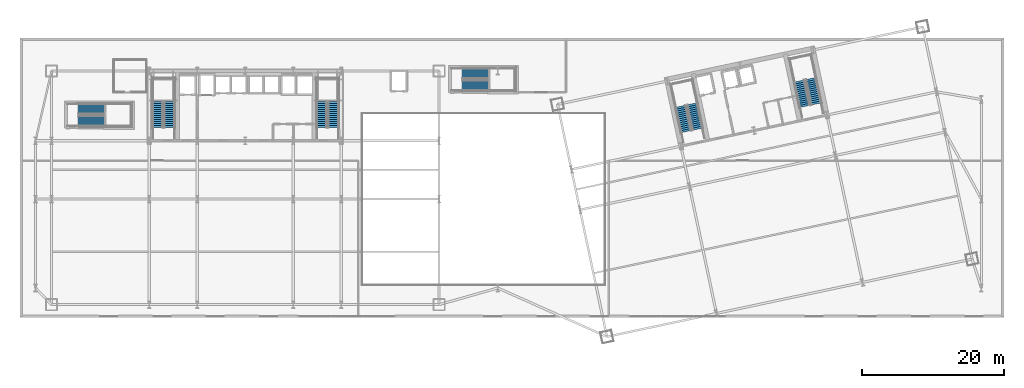
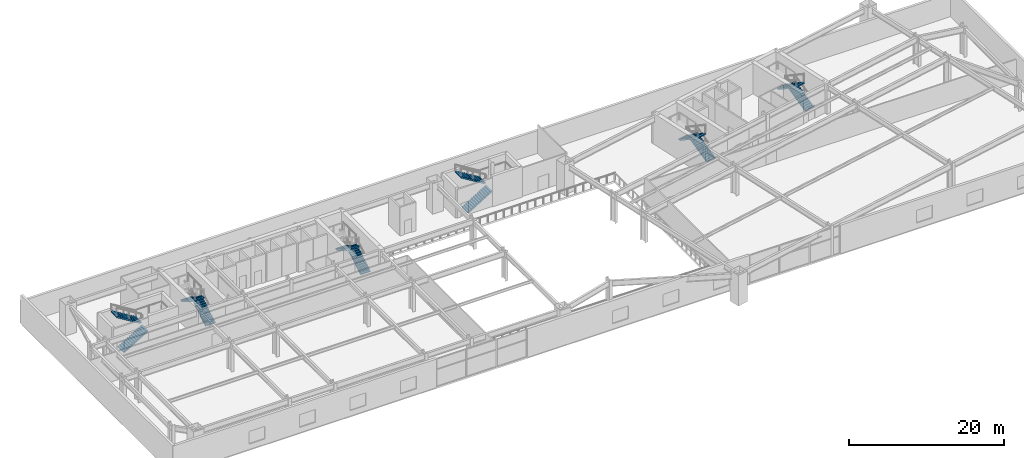
# One storey, part 17 of 25: 12 stair flights, 6 elements without a shape of their own.
"""IFC4 building model written with IfcOpenShell, lengths in metres."""

from ifc_helpers import new_model, si_unit, direction, frame, origin, place, context, subcontext, project, spatial, polyline, outline, extrude, material, type_object, element, aggregate, save


model = new_model("IFC4")

# Units and contexts
model_context = context("Model", 3, precision=1e-05, world=origin(), true_north=direction((0.0, 1.0)))
body_context = subcontext(model_context, "Body", "Model", "MODEL_VIEW")
ifc_project = project(units=[si_unit("LENGTHUNIT", "METRE"), si_unit("AREAUNIT", "SQUARE_METRE"), si_unit("VOLUMEUNIT", "CUBIC_METRE"), si_unit("PLANEANGLEUNIT", "RADIAN"), si_unit("MASSUNIT", "GRAM", prefix="KILO")], contexts=[model_context])

# Site, building, storey
site_placement = place(None, origin())
site = spatial("IfcSite", under=ifc_project, at=site_placement, CompositionType="ELEMENT")
building_placement = place(site_placement, origin())
building = spatial("IfcBuilding", under=site, at=building_placement, Name="Haevon Station Towers", CompositionType="ELEMENT")
storey_placement = place(building_placement, frame((0.0, 0.0, 6.0)))
storey = spatial("IfcBuildingStorey", under=building, at=storey_placement, Name="L01", CompositionType="ELEMENT", Elevation=6.0)

# Stair, stair flights
ifc_material = material(Name="Concrete C40/50", Category="concrete")
stair_type_1 = type_object("IfcStairType", Name="STR-DL1450", PredefinedType="USERDEFINED", material=ifc_material)
stair_1_placement = place(storey_placement, origin())
stair_1 = element("IfcStair", 1, at=stair_1_placement, inside=storey, type_object=stair_type_1, Name="L01 Escape Stair ST1", ObjectType="TWO_RETURN_STAIR", PredefinedType="USERDEFINED")
stair_flight_type_1 = type_object("IfcStairFlightType", Name="STF-ST1450", PredefinedType="STRAIGHT", material=ifc_material)
stair_flight_1_placement = place(storey_placement, frame((26.85498046875, 40.050048828125, 0.0), z_axis=(0.0, 0.0, 1.0), x_axis=(0.0, 1.0, 0.0)))
stair_flight_1 = element("IfcStairFlight", 2, at=stair_flight_1_placement, type_object=stair_flight_type_1, Name="L01 ST1 Flight 1", NumberOfRisers=14, NumberOfTreads=13, PredefinedType="STRAIGHT", RiserHeight=0.171428571, TreadLength=0.28, context=body_context, shape_type="SweptSolid", body=[
    extrude(outline(polyline([(0.0, 0.0), (0.0, 0.17138671875), (0.280029296875, 0.17138671875), (0.280029296875, 0.3427734375), (0.56005859375, 0.3427734375), (0.56005859375, 0.514404296875), (0.840087890625, 0.514404296875), (0.840087890625, 0.685791015625), (1.1201171875, 0.685791015625), (1.1201171875, 0.857177734375), (1.39990234375, 0.857177734375), (1.39990234375, 1.028564453125), (1.679931640625, 1.028564453125), (1.679931640625, 1.199951171875), (1.9599609375, 1.199951171875), (1.9599609375, 1.371337890625), (2.239990234375, 1.371337890625), (2.239990234375, 1.54296875), (2.52001953125, 1.54296875), (2.52001953125, 1.71435546875), (2.800048828125, 1.71435546875), (2.800048828125, 1.8857421875), (3.080078125, 1.8857421875), (3.080078125, 2.05712890625), (3.360107421875, 2.05712890625), (3.360107421875, 2.228515625), (3.639892578125, 2.228515625), (3.639892578125, 2.39990234375), (3.639892578125, 2.041015625), (0.30615234375, 0.0), (0.0, 0.0)])), frame((0.0, 0.72509765625, 0.0), z_axis=(0.0, -1.0, 0.0), x_axis=(1.0, 0.0, 0.0)), (0.0, 0.0, 1.0), 1.449951171875),
])
stair_flight_2_placement = place(storey_placement, frame((25.205078125, 43.68994140625, 2.39990234375), z_axis=(0.0, 0.0, 1.0), x_axis=(0.0, -1.0, 0.0)))
stair_flight_2 = element("IfcStairFlight", 3, at=stair_flight_2_placement, type_object=stair_flight_type_1, Name="L01 ST1 Flight 2", NumberOfRisers=14, NumberOfTreads=13, PredefinedType="STRAIGHT", RiserHeight=0.171428571, TreadLength=0.28, context=body_context, shape_type="SweptSolid", body=[
    extrude(outline(polyline([(0.0, 0.0), (0.0, 0.17138671875), (0.280029296875, 0.17138671875), (0.280029296875, 0.3427734375), (0.56005859375, 0.3427734375), (0.56005859375, 0.514404296875), (0.840087890625, 0.514404296875), (0.840087890625, 0.685791015625), (1.1201171875, 0.685791015625), (1.1201171875, 0.857177734375), (1.39990234375, 0.857177734375), (1.39990234375, 1.028564453125), (1.679931640625, 1.028564453125), (1.679931640625, 1.199951171875), (1.9599609375, 1.199951171875), (1.9599609375, 1.371337890625), (2.239990234375, 1.371337890625), (2.239990234375, 1.54296875), (2.52001953125, 1.54296875), (2.52001953125, 1.71435546875), (2.800048828125, 1.71435546875), (2.800048828125, 1.8857421875), (3.080078125, 1.8857421875), (3.080078125, 2.05712890625), (3.360107421875, 2.05712890625), (3.360107421875, 2.228515625), (3.639892578125, 2.228515625), (3.639892578125, 2.39990234375), (3.639892578125, 2.041015625), (0.30615234375, 0.0), (0.0, 0.0)])), frame((0.0, 0.72509765625, 0.0), z_axis=(0.0, -1.0, 0.0), x_axis=(1.0, 0.0, 0.0)), (0.0, 0.0, 1.0), 1.449951171875),
])
aggregate(stair_1, [stair_flight_1, stair_flight_2])

stair_2_placement = place(storey_placement, origin())
stair_2 = element("IfcStair", 4, at=stair_2_placement, inside=storey, type_object=stair_type_1, Name="L01 Escape Stair ST2", ObjectType="TWO_RETURN_STAIR", PredefinedType="USERDEFINED")
stair_flight_3_placement = place(storey_placement, frame((49.89501953125, 40.050048828125, 0.0), z_axis=(0.0, 0.0, 1.0), x_axis=(0.0, 1.0, 0.0)))
stair_flight_3 = element("IfcStairFlight", 5, at=stair_flight_3_placement, type_object=stair_flight_type_1, Name="L01 ST2 Flight 1", NumberOfRisers=14, NumberOfTreads=13, PredefinedType="STRAIGHT", RiserHeight=0.171428571, TreadLength=0.28, context=body_context, shape_type="SweptSolid", body=[
    extrude(outline(polyline([(0.0, 0.0), (0.0, 0.17138671875), (0.280029296875, 0.17138671875), (0.280029296875, 0.3427734375), (0.56005859375, 0.3427734375), (0.56005859375, 0.514404296875), (0.840087890625, 0.514404296875), (0.840087890625, 0.685791015625), (1.1201171875, 0.685791015625), (1.1201171875, 0.857177734375), (1.39990234375, 0.857177734375), (1.39990234375, 1.028564453125), (1.679931640625, 1.028564453125), (1.679931640625, 1.199951171875), (1.9599609375, 1.199951171875), (1.9599609375, 1.371337890625), (2.239990234375, 1.371337890625), (2.239990234375, 1.54296875), (2.52001953125, 1.54296875), (2.52001953125, 1.71435546875), (2.800048828125, 1.71435546875), (2.800048828125, 1.8857421875), (3.080078125, 1.8857421875), (3.080078125, 2.05712890625), (3.360107421875, 2.05712890625), (3.360107421875, 2.228515625), (3.639892578125, 2.228515625), (3.639892578125, 2.39990234375), (3.639892578125, 2.041015625), (0.30615234375, 0.0), (0.0, 0.0)])), frame((0.0, 0.72509765625, 0.0), z_axis=(0.0, -1.0, 0.0), x_axis=(1.0, 0.0, 0.0)), (0.0, 0.0, 1.0), 1.449951171875),
])
stair_flight_4_placement = place(storey_placement, frame((48.2451171875, 43.68994140625, 2.39990234375), z_axis=(0.0, 0.0, 1.0), x_axis=(0.0, -1.0, 0.0)))
stair_flight_4 = element("IfcStairFlight", 6, at=stair_flight_4_placement, type_object=stair_flight_type_1, Name="L01 ST2 Flight 2", NumberOfRisers=14, NumberOfTreads=13, PredefinedType="STRAIGHT", RiserHeight=0.171428571, TreadLength=0.28, context=body_context, shape_type="SweptSolid", body=[
    extrude(outline(polyline([(0.0, 0.0), (0.0, 0.17138671875), (0.280029296875, 0.17138671875), (0.280029296875, 0.3427734375), (0.56005859375, 0.3427734375), (0.56005859375, 0.514404296875), (0.840087890625, 0.514404296875), (0.840087890625, 0.685791015625), (1.1201171875, 0.685791015625), (1.1201171875, 0.857177734375), (1.39990234375, 0.857177734375), (1.39990234375, 1.028564453125), (1.679931640625, 1.028564453125), (1.679931640625, 1.199951171875), (1.9599609375, 1.199951171875), (1.9599609375, 1.371337890625), (2.239990234375, 1.371337890625), (2.239990234375, 1.54296875), (2.52001953125, 1.54296875), (2.52001953125, 1.71435546875), (2.800048828125, 1.71435546875), (2.800048828125, 1.8857421875), (3.080078125, 1.8857421875), (3.080078125, 2.05712890625), (3.360107421875, 2.05712890625), (3.360107421875, 2.228515625), (3.639892578125, 2.228515625), (3.639892578125, 2.39990234375), (3.639892578125, 2.041015625), (0.30615234375, 0.0), (0.0, 0.0)])), frame((0.0, 0.72509765625, 0.0), z_axis=(0.0, -1.0, 0.0), x_axis=(1.0, 0.0, 0.0)), (0.0, 0.0, 1.0), 1.449951171875),
])
aggregate(stair_2, [stair_flight_3, stair_flight_4])

stair_3_placement = place(storey_placement, origin())
stair_3 = element("IfcStair", 7, at=stair_3_placement, inside=storey, type_object=stair_type_1, Name="L01 Escape Stair ST3", ObjectType="TWO_RETURN_STAIR", PredefinedType="USERDEFINED")
stair_flight_5_placement = place(storey_placement, frame((101.1015625, 39.8330078125, 0.0), z_axis=(0.0, 0.0, 1.0), x_axis=(-0.207911690818, 0.978147600734, 0.0)))
stair_flight_5 = element("IfcStairFlight", 8, at=stair_flight_5_placement, type_object=stair_flight_type_1, Name="L01 ST3 Flight 1", NumberOfRisers=14, NumberOfTreads=13, PredefinedType="STRAIGHT", RiserHeight=0.171428571, TreadLength=0.28, context=body_context, shape_type="SweptSolid", body=[
    extrude(outline(polyline([(0.0, 0.0), (0.0, 0.17138671875), (0.280029296875, 0.17138671875), (0.280029296875, 0.3427734375), (0.56005859375, 0.3427734375), (0.56005859375, 0.514404296875), (0.840087890625, 0.514404296875), (0.840087890625, 0.685791015625), (1.1201171875, 0.685791015625), (1.1201171875, 0.857177734375), (1.39990234375, 0.857177734375), (1.39990234375, 1.028564453125), (1.679931640625, 1.028564453125), (1.679931640625, 1.199951171875), (1.9599609375, 1.199951171875), (1.9599609375, 1.371337890625), (2.239990234375, 1.371337890625), (2.239990234375, 1.54296875), (2.52001953125, 1.54296875), (2.52001953125, 1.71435546875), (2.800048828125, 1.71435546875), (2.800048828125, 1.8857421875), (3.080078125, 1.8857421875), (3.080078125, 2.05712890625), (3.360107421875, 2.05712890625), (3.360107421875, 2.228515625), (3.639892578125, 2.228515625), (3.639892578125, 2.39990234375), (3.639892578125, 2.041015625), (0.30615234375, 0.0), (0.0, 0.0)])), frame((0.0, 0.72509765625, 0.0), z_axis=(0.0, -1.0, 0.0), x_axis=(1.0, 0.0, 0.0)), (0.0, 0.0, 1.0), 1.449951171875),
])
stair_flight_6_placement = place(storey_placement, frame((98.73095703125, 43.050537109375, 2.39990234375), z_axis=(0.0, 0.0, 1.0), x_axis=(0.207911690818, -0.978147600734, 0.0)))
stair_flight_6 = element("IfcStairFlight", 9, at=stair_flight_6_placement, type_object=stair_flight_type_1, Name="L01 ST3 Flight 2", NumberOfRisers=14, NumberOfTreads=13, PredefinedType="STRAIGHT", RiserHeight=0.171428571, TreadLength=0.28, context=body_context, shape_type="SweptSolid", body=[
    extrude(outline(polyline([(0.0, 0.0), (0.0, 0.17138671875), (0.280029296875, 0.17138671875), (0.280029296875, 0.3427734375), (0.56005859375, 0.3427734375), (0.56005859375, 0.514404296875), (0.840087890625, 0.514404296875), (0.840087890625, 0.685791015625), (1.1201171875, 0.685791015625), (1.1201171875, 0.857177734375), (1.39990234375, 0.857177734375), (1.39990234375, 1.028564453125), (1.679931640625, 1.028564453125), (1.679931640625, 1.199951171875), (1.9599609375, 1.199951171875), (1.9599609375, 1.371337890625), (2.239990234375, 1.371337890625), (2.239990234375, 1.54296875), (2.52001953125, 1.54296875), (2.52001953125, 1.71435546875), (2.800048828125, 1.71435546875), (2.800048828125, 1.8857421875), (3.080078125, 1.8857421875), (3.080078125, 2.05712890625), (3.360107421875, 2.05712890625), (3.360107421875, 2.228515625), (3.639892578125, 2.228515625), (3.639892578125, 2.39990234375), (3.639892578125, 2.041015625), (0.30615234375, 0.0), (0.0, 0.0)])), frame((0.0, 0.72509765625, 0.0), z_axis=(0.0, -1.0, 0.0), x_axis=(1.0, 0.0, 0.0)), (0.0, 0.0, 1.0), 1.449951171875),
])
aggregate(stair_3, [stair_flight_5, stair_flight_6])

stair_4_placement = place(storey_placement, origin())
stair_4 = element("IfcStair", 10, at=stair_4_placement, inside=storey, type_object=stair_type_1, Name="L01 Escape Stair ST4", ObjectType="TWO_RETURN_STAIR", PredefinedType="USERDEFINED")
stair_flight_7_placement = place(storey_placement, frame((117.788818359375, 43.380126953125, 0.0), z_axis=(0.0, 0.0, 1.0), x_axis=(-0.207911690818, 0.978147600734, 0.0)))
stair_flight_7 = element("IfcStairFlight", 11, at=stair_flight_7_placement, type_object=stair_flight_type_1, Name="L01 ST4 Flight 1", NumberOfRisers=14, NumberOfTreads=13, PredefinedType="STRAIGHT", RiserHeight=0.171428571, TreadLength=0.28, context=body_context, shape_type="SweptSolid", body=[
    extrude(outline(polyline([(0.0, 0.0), (0.0, 0.17138671875), (0.280029296875, 0.17138671875), (0.280029296875, 0.3427734375), (0.56005859375, 0.3427734375), (0.56005859375, 0.514404296875), (0.840087890625, 0.514404296875), (0.840087890625, 0.685791015625), (1.1201171875, 0.685791015625), (1.1201171875, 0.857177734375), (1.39990234375, 0.857177734375), (1.39990234375, 1.028564453125), (1.679931640625, 1.028564453125), (1.679931640625, 1.199951171875), (1.9599609375, 1.199951171875), (1.9599609375, 1.371337890625), (2.239990234375, 1.371337890625), (2.239990234375, 1.54296875), (2.52001953125, 1.54296875), (2.52001953125, 1.71435546875), (2.800048828125, 1.71435546875), (2.800048828125, 1.8857421875), (3.080078125, 1.8857421875), (3.080078125, 2.05712890625), (3.360107421875, 2.05712890625), (3.360107421875, 2.228515625), (3.639892578125, 2.228515625), (3.639892578125, 2.39990234375), (3.639892578125, 2.041015625), (0.30615234375, 0.0), (0.0, 0.0)])), frame((0.0, 0.72509765625, 0.0), z_axis=(0.0, -1.0, 0.0), x_axis=(1.0, 0.0, 0.0)), (0.0, 0.0, 1.0), 1.449951171875),
])
stair_flight_8_placement = place(storey_placement, frame((115.418212890625, 46.597412109375, 2.39990234375), z_axis=(0.0, 0.0, 1.0), x_axis=(0.207911690818, -0.978147600734, 0.0)))
stair_flight_8 = element("IfcStairFlight", 12, at=stair_flight_8_placement, type_object=stair_flight_type_1, Name="L01 ST4 Flight 2", NumberOfRisers=14, NumberOfTreads=13, PredefinedType="STRAIGHT", RiserHeight=0.171428571, TreadLength=0.28, context=body_context, shape_type="SweptSolid", body=[
    extrude(outline(polyline([(0.0, 0.0), (0.0, 0.17138671875), (0.280029296875, 0.17138671875), (0.280029296875, 0.3427734375), (0.56005859375, 0.3427734375), (0.56005859375, 0.514404296875), (0.840087890625, 0.514404296875), (0.840087890625, 0.685791015625), (1.1201171875, 0.685791015625), (1.1201171875, 0.857177734375), (1.39990234375, 0.857177734375), (1.39990234375, 1.028564453125), (1.679931640625, 1.028564453125), (1.679931640625, 1.199951171875), (1.9599609375, 1.199951171875), (1.9599609375, 1.371337890625), (2.239990234375, 1.371337890625), (2.239990234375, 1.54296875), (2.52001953125, 1.54296875), (2.52001953125, 1.71435546875), (2.800048828125, 1.71435546875), (2.800048828125, 1.8857421875), (3.080078125, 1.8857421875), (3.080078125, 2.05712890625), (3.360107421875, 2.05712890625), (3.360107421875, 2.228515625), (3.639892578125, 2.228515625), (3.639892578125, 2.39990234375), (3.639892578125, 2.041015625), (0.30615234375, 0.0), (0.0, 0.0)])), frame((0.0, 0.72509765625, 0.0), z_axis=(0.0, -1.0, 0.0), x_axis=(1.0, 0.0, 0.0)), (0.0, 0.0, 1.0), 1.449951171875),
])
aggregate(stair_4, [stair_flight_7, stair_flight_8])

stair_type_2 = type_object("IfcStairType", Name="STR-DL1500", PredefinedType="USERDEFINED", material=ifc_material)
stair_5_placement = place(storey_placement, origin())
stair_5 = element("IfcStair", 13, at=stair_5_placement, inside=storey, type_object=stair_type_2, Name="L01 Escape Stair ST5", ObjectType="TWO_RETURN_STAIR", PredefinedType="USERDEFINED")
stair_flight_type_2 = type_object("IfcStairFlightType", Name="STF-ST1500", PredefinedType="STRAIGHT", material=ifc_material)
stair_flight_9_placement = place(storey_placement, frame((14.0, 40.949951171875, 0.0), z_axis=(0.0, 0.0, 1.0), x_axis=(1.0, 0.0, 0.0)))
stair_flight_9 = element("IfcStairFlight", 14, at=stair_flight_9_placement, type_object=stair_flight_type_2, Name="L01 ST5 Flight 1", NumberOfRisers=14, NumberOfTreads=13, PredefinedType="STRAIGHT", RiserHeight=0.171428571, TreadLength=0.28, context=body_context, shape_type="SweptSolid", body=[
    extrude(outline(polyline([(0.0, 0.0), (0.0, 0.17138671875), (0.280029296875, 0.17138671875), (0.280029296875, 0.3427734375), (0.56005859375, 0.3427734375), (0.56005859375, 0.514404296875), (0.840087890625, 0.514404296875), (0.840087890625, 0.685791015625), (1.1201171875, 0.685791015625), (1.1201171875, 0.857177734375), (1.39990234375, 0.857177734375), (1.39990234375, 1.028564453125), (1.679931640625, 1.028564453125), (1.679931640625, 1.199951171875), (1.9599609375, 1.199951171875), (1.9599609375, 1.371337890625), (2.239990234375, 1.371337890625), (2.239990234375, 1.54296875), (2.52001953125, 1.54296875), (2.52001953125, 1.71435546875), (2.800048828125, 1.71435546875), (2.800048828125, 1.8857421875), (3.080078125, 1.8857421875), (3.080078125, 2.05712890625), (3.360107421875, 2.05712890625), (3.360107421875, 2.228515625), (3.639892578125, 2.228515625), (3.639892578125, 2.39990234375), (3.639892578125, 2.041015625), (0.30615234375, 0.0), (0.0, 0.0)])), frame((0.0, 0.75, 0.0), z_axis=(0.0, -1.0, 0.0), x_axis=(1.0, 0.0, 0.0)), (0.0, 0.0, 1.0), 1.5),
])
stair_flight_10_placement = place(storey_placement, frame((17.639892578125, 42.64990234375, 2.39990234375), z_axis=(0.0, 0.0, 1.0), x_axis=(-1.0, 0.0, 0.0)))
stair_flight_10 = element("IfcStairFlight", 15, at=stair_flight_10_placement, type_object=stair_flight_type_2, Name="L01 ST5 Flight 2", NumberOfRisers=14, NumberOfTreads=13, PredefinedType="STRAIGHT", RiserHeight=0.171428571, TreadLength=0.28, context=body_context, shape_type="SweptSolid", body=[
    extrude(outline(polyline([(0.0, 0.0), (0.0, 0.17138671875), (0.280029296875, 0.17138671875), (0.280029296875, 0.3427734375), (0.56005859375, 0.3427734375), (0.56005859375, 0.514404296875), (0.840087890625, 0.514404296875), (0.840087890625, 0.685791015625), (1.1201171875, 0.685791015625), (1.1201171875, 0.857177734375), (1.39990234375, 0.857177734375), (1.39990234375, 1.028564453125), (1.679931640625, 1.028564453125), (1.679931640625, 1.199951171875), (1.9599609375, 1.199951171875), (1.9599609375, 1.371337890625), (2.239990234375, 1.371337890625), (2.239990234375, 1.54296875), (2.52001953125, 1.54296875), (2.52001953125, 1.71435546875), (2.800048828125, 1.71435546875), (2.800048828125, 1.8857421875), (3.080078125, 1.8857421875), (3.080078125, 2.05712890625), (3.360107421875, 2.05712890625), (3.360107421875, 2.228515625), (3.639892578125, 2.228515625), (3.639892578125, 2.39990234375), (3.639892578125, 2.041015625), (0.30615234375, 0.0), (0.0, 0.0)])), frame((0.0, 0.75, 0.0), z_axis=(0.0, -1.0, 0.0), x_axis=(1.0, 0.0, 0.0)), (0.0, 0.0, 1.0), 1.5),
])
aggregate(stair_5, [stair_flight_9, stair_flight_10])

stair_6_placement = place(storey_placement, origin())
stair_6 = element("IfcStair", 16, at=stair_6_placement, inside=storey, type_object=stair_type_2, Name="L01 Escape Stair ST6", ObjectType="TWO_RETURN_STAIR", PredefinedType="USERDEFINED")
stair_flight_11_placement = place(storey_placement, frame((68.0, 45.949951171875, 0.0), z_axis=(0.0, 0.0, 1.0), x_axis=(1.0, 0.0, 0.0)))
stair_flight_11 = element("IfcStairFlight", 17, at=stair_flight_11_placement, type_object=stair_flight_type_2, Name="L01 ST6 Flight 1", NumberOfRisers=14, NumberOfTreads=13, PredefinedType="STRAIGHT", RiserHeight=0.171428571, TreadLength=0.28, context=body_context, shape_type="SweptSolid", body=[
    extrude(outline(polyline([(0.0, 0.0), (0.0, 0.17138671875), (0.280029296875, 0.17138671875), (0.280029296875, 0.3427734375), (0.56005859375, 0.3427734375), (0.56005859375, 0.514404296875), (0.840087890625, 0.514404296875), (0.840087890625, 0.685791015625), (1.1201171875, 0.685791015625), (1.1201171875, 0.857177734375), (1.39990234375, 0.857177734375), (1.39990234375, 1.028564453125), (1.679931640625, 1.028564453125), (1.679931640625, 1.199951171875), (1.9599609375, 1.199951171875), (1.9599609375, 1.371337890625), (2.239990234375, 1.371337890625), (2.239990234375, 1.54296875), (2.52001953125, 1.54296875), (2.52001953125, 1.71435546875), (2.800048828125, 1.71435546875), (2.800048828125, 1.8857421875), (3.080078125, 1.8857421875), (3.080078125, 2.05712890625), (3.360107421875, 2.05712890625), (3.360107421875, 2.228515625), (3.639892578125, 2.228515625), (3.639892578125, 2.39990234375), (3.639892578125, 2.041015625), (0.30615234375, 0.0), (0.0, 0.0)])), frame((0.0, 0.75, 0.0), z_axis=(0.0, -1.0, 0.0), x_axis=(1.0, 0.0, 0.0)), (0.0, 0.0, 1.0), 1.5),
])
stair_flight_12_placement = place(storey_placement, frame((71.639892578125, 47.64990234375, 2.39990234375), z_axis=(0.0, 0.0, 1.0), x_axis=(-1.0, 0.0, 0.0)))
stair_flight_12 = element("IfcStairFlight", 18, at=stair_flight_12_placement, type_object=stair_flight_type_2, Name="L01 ST6 Flight 2", NumberOfRisers=14, NumberOfTreads=13, PredefinedType="STRAIGHT", RiserHeight=0.171428571, TreadLength=0.28, context=body_context, shape_type="SweptSolid", body=[
    extrude(outline(polyline([(0.0, 0.0), (0.0, 0.17138671875), (0.280029296875, 0.17138671875), (0.280029296875, 0.3427734375), (0.56005859375, 0.3427734375), (0.56005859375, 0.514404296875), (0.840087890625, 0.514404296875), (0.840087890625, 0.685791015625), (1.1201171875, 0.685791015625), (1.1201171875, 0.857177734375), (1.39990234375, 0.857177734375), (1.39990234375, 1.028564453125), (1.679931640625, 1.028564453125), (1.679931640625, 1.199951171875), (1.9599609375, 1.199951171875), (1.9599609375, 1.371337890625), (2.239990234375, 1.371337890625), (2.239990234375, 1.54296875), (2.52001953125, 1.54296875), (2.52001953125, 1.71435546875), (2.800048828125, 1.71435546875), (2.800048828125, 1.8857421875), (3.080078125, 1.8857421875), (3.080078125, 2.05712890625), (3.360107421875, 2.05712890625), (3.360107421875, 2.228515625), (3.639892578125, 2.228515625), (3.639892578125, 2.39990234375), (3.639892578125, 2.041015625), (0.30615234375, 0.0), (0.0, 0.0)])), frame((0.0, 0.75, 0.0), z_axis=(0.0, -1.0, 0.0), x_axis=(1.0, 0.0, 0.0)), (0.0, 0.0, 1.0), 1.5),
])
aggregate(stair_6, [stair_flight_11, stair_flight_12])

save(model, "model.ifc")
